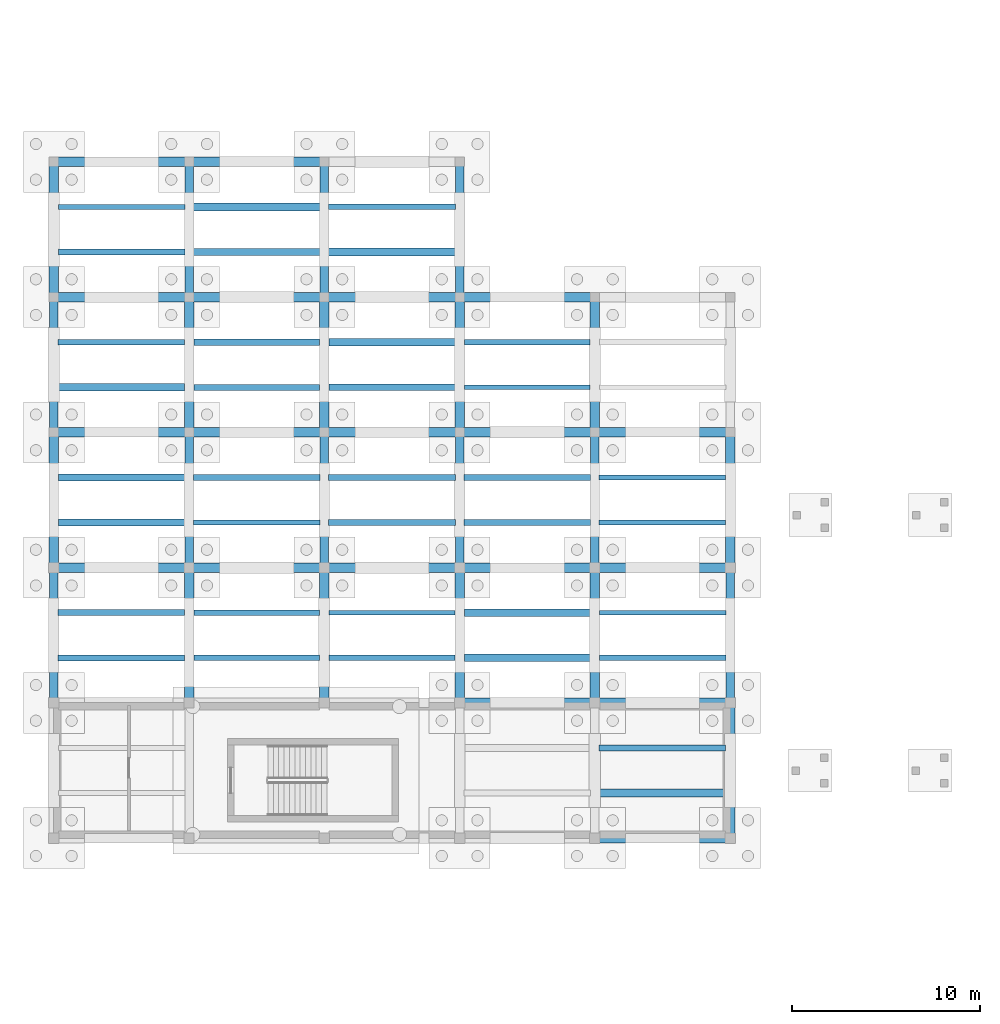
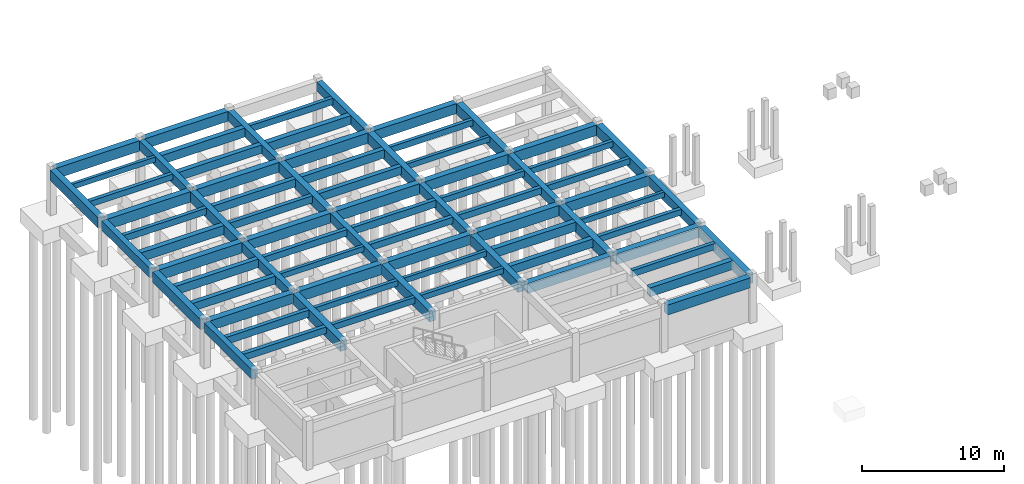
# One storey, part 13 of 31: 77 beams.
"""IFC4 building model written with IfcOpenShell, lengths in metres."""

from ifc_helpers import new_model, si_unit, direction, frame, origin, origin_2d, place, context, subcontext, project, spatial, rectangle, extrude, material, material_profile, profile_set, type_object, element, save


model = new_model("IFC4")

# Units and contexts
model_context = context("Model", 3, precision=1e-05, world=origin(), true_north=direction((0.0, 1.0)))
body_context = subcontext(model_context, "Body", "Model", "MODEL_VIEW")
ifc_project = project(units=[si_unit("LENGTHUNIT", "METRE"), si_unit("AREAUNIT", "SQUARE_METRE"), si_unit("VOLUMEUNIT", "CUBIC_METRE"), si_unit("PLANEANGLEUNIT", "RADIAN"), si_unit("MASSUNIT", "GRAM", prefix="KILO")], contexts=[model_context])

# Site, building, storey
site_placement = place(None, origin())
site = spatial("IfcSite", under=ifc_project, at=site_placement, CompositionType="ELEMENT")
building_placement = place(site_placement, origin())
building = spatial("IfcBuilding", under=site, at=building_placement, Name="Brisavento Harbour Community Centre", CompositionType="ELEMENT")
storey_placement = place(building_placement, frame((0.0, 0.0, -4.199951171875)))
storey = spatial("IfcBuildingStorey", under=building, at=storey_placement, Name="B1", CompositionType="ELEMENT", Elevation=-4.199951171875)

# Beams
ifc_material = material(Name="Concrete C35/45", Category="concrete")
ifc_material_profile_1 = material_profile(ifc_material, rectangle(XDim=0.25, YDim=0.449951171875, at=origin_2d()), Name="Concrete C35/45")
ifc_profile_set_1 = profile_set([ifc_material_profile_1], Name="Concrete C35/45")
beam_type_1 = type_object("IfcBeamType", Name="BM-JST-250x450", PredefinedType="JOIST", material=ifc_profile_set_1)
beam_1_placement = place(storey_placement, frame((0.25, 105.60009765625, 3.695068359375), z_axis=(1.0, 0.0, 0.0), x_axis=(0.0, 1.0, 0.0)))
element("IfcBeam", 1, at=beam_1_placement, inside=storey, type_object=beam_type_1, Name="B1 secondary floor joist 0013", PredefinedType="JOIST", context=body_context, shape_type="SweptSolid", body=[
    extrude(rectangle(XDim=0.25, YDim=0.449951171875, at=origin_2d()), origin(), (0.0, 0.0, 1.0), 6.72509765625),
])
beam_2_placement = place(storey_placement, frame((21.85009765625, 96.0, 3.695068359375), z_axis=(1.0, 0.0, 0.0), x_axis=(0.0, 1.0, 0.0)))
element("IfcBeam", 2, at=beam_2_placement, inside=storey, type_object=beam_type_1, Name="B1 secondary floor joist 0046", PredefinedType="JOIST", context=body_context, shape_type="SweptSolid", body=[
    extrude(rectangle(XDim=0.25, YDim=0.449951171875, at=origin_2d()), origin(), (0.0, 0.0, 1.0), 6.699951171875),
])
beam_3_placement = place(storey_placement, frame((29.050048828125, 84.0, 3.695068359375), z_axis=(1.0, 0.0, 0.0), x_axis=(0.0, 1.0, 0.0)))
element("IfcBeam", 3, at=beam_3_placement, inside=storey, type_object=beam_type_1, Name="B1 secondary floor joist 0057", PredefinedType="JOIST", context=body_context, shape_type="SweptSolid", body=[
    extrude(rectangle(XDim=0.25, YDim=0.449951171875, at=origin_2d()), origin(), (0.0, 0.0, 1.0), 6.724853515625),
])
ifc_material_profile_2 = material_profile(ifc_material, rectangle(XDim=0.260009765625, YDim=0.4599609375, at=origin_2d()), Name="Concrete C35/45")
ifc_profile_set_2 = profile_set([ifc_material_profile_2], Name="Concrete C35/45")
beam_type_2 = type_object("IfcBeamType", Name="BM-JST-260x460", PredefinedType="JOIST", material=ifc_profile_set_2)
beam_4_placement = place(storey_placement, frame((7.425048828125, 88.800048828125, 3.68994140625), z_axis=(1.0, 0.0, 0.0), x_axis=(0.0, 1.0, 0.0)))
element("IfcBeam", 4, at=beam_4_placement, inside=storey, type_object=beam_type_2, Name="B1 secondary floor joist 0016", PredefinedType="JOIST", context=body_context, shape_type="SweptSolid", body=[
    extrude(rectangle(XDim=0.260009765625, YDim=0.4599609375, at=origin_2d()), origin(), (0.0, 0.0, 1.0), 6.75),
])
beam_5_placement = place(storey_placement, frame((14.64990234375, 84.0, 3.68994140625), z_axis=(1.0, 0.0, 0.0), x_axis=(0.0, 1.0, 0.0)))
element("IfcBeam", 5, at=beam_5_placement, inside=storey, type_object=beam_type_2, Name="B1 secondary floor joist 0027", PredefinedType="JOIST", context=body_context, shape_type="SweptSolid", body=[
    extrude(rectangle(XDim=0.260009765625, YDim=0.4599609375, at=origin_2d()), origin(), (0.0, 0.0, 1.0), 6.7001953125),
])
ifc_material_profile_3 = material_profile(ifc_material, rectangle(XDim=0.280029296875, YDim=0.47998046875, at=origin_2d()), Name="Concrete C35/45")
ifc_profile_set_3 = profile_set([ifc_material_profile_3], Name="Concrete C35/45")
beam_type_3 = type_object("IfcBeamType", Name="BM-JST-280x480", PredefinedType="JOIST", material=ifc_profile_set_3)
beam_6_placement = place(storey_placement, frame((7.449951171875, 84.0, 3.679931640625), z_axis=(1.0, 0.0, 0.0), x_axis=(0.0, 1.0, 0.0)))
element("IfcBeam", 6, at=beam_6_placement, inside=storey, type_object=beam_type_3, Name="B1 secondary floor joist 0015", PredefinedType="JOIST", context=body_context, shape_type="SweptSolid", body=[
    extrude(rectangle(XDim=0.280029296875, YDim=0.47998046875, at=origin_2d()), origin(), (0.0, 0.0, 1.0), 6.699951171875),
])
beam_7_placement = place(storey_placement, frame((14.64990234375, 81.60009765625, 3.679931640625), z_axis=(1.0, 0.0, 0.0), x_axis=(0.0, 1.0, 0.0)))
element("IfcBeam", 7, at=beam_7_placement, inside=storey, type_object=beam_type_3, Name="B1 secondary floor joist 0026", PredefinedType="JOIST", context=body_context, shape_type="SweptSolid", body=[
    extrude(rectangle(XDim=0.280029296875, YDim=0.47998046875, at=origin_2d()), origin(), (0.0, 0.0, 1.0), 6.7001953125),
])
beam_8_placement = place(storey_placement, frame((29.02490234375, 91.199951171875, 3.679931640625), z_axis=(1.0, 0.0, 0.0), x_axis=(0.0, 1.0, 0.0)))
element("IfcBeam", 8, at=beam_8_placement, inside=storey, type_object=beam_type_3, Name="B1 secondary floor joist 0059", PredefinedType="JOIST", context=body_context, shape_type="SweptSolid", body=[
    extrude(rectangle(XDim=0.280029296875, YDim=0.47998046875, at=origin_2d()), origin(), (0.0, 0.0, 1.0), 6.72509765625),
])
ifc_material_profile_4 = material_profile(ifc_material, rectangle(XDim=0.280029296875, YDim=0.52001953125, at=origin_2d()), Name="Concrete C35/45")
ifc_profile_set_4 = profile_set([ifc_material_profile_4], Name="Concrete C35/45")
beam_type_4 = type_object("IfcBeamType", Name="BM-JST-280x520", PredefinedType="JOIST", material=ifc_profile_set_4)
for number, where, z_axis, x_axis, name in (
    (9, (7.449951171875, 81.60009765625, 3.659912109375), (1.0, 0.0, 0.0), (0.0, 1.0, 0.0), "B1 secondary floor joist 0014"),
    (10, (21.85009765625, 98.39990234375, 3.659912109375), (1.0, 0.0, 0.0), (0.0, 1.0, 0.0), "B1 secondary floor joist 0047"),
):
    element("IfcBeam", number, at=place(storey_placement, frame(where, z_axis=z_axis, x_axis=x_axis)), inside=storey, type_object=beam_type_4, Name=name, PredefinedType="JOIST", context=body_context, shape_type="SweptSolid", body=[
        extrude(rectangle(XDim=0.280029296875, YDim=0.52001953125, at=origin_2d()), origin(), (0.0, 0.0, 1.0), 6.699951171875),
    ])
beam_9_placement = place(storey_placement, frame((29.02490234375, 88.800048828125, 3.659912109375), z_axis=(1.0, 0.0, 0.0), x_axis=(0.0, 1.0, 0.0)))
element("IfcBeam", 11, at=beam_9_placement, inside=storey, type_object=beam_type_4, Name="B1 secondary floor joist 0058", PredefinedType="JOIST", context=body_context, shape_type="SweptSolid", body=[
    extrude(rectangle(XDim=0.280029296875, YDim=0.52001953125, at=origin_2d()), origin(), (0.0, 0.0, 1.0), 6.72509765625),
])
ifc_material_profile_5 = material_profile(ifc_material, rectangle(XDim=0.300048828125, YDim=0.5, at=origin_2d()), Name="Concrete C35/45")
ifc_profile_set_5 = profile_set([ifc_material_profile_5], Name="Concrete C35/45")
beam_type_5 = type_object("IfcBeamType", Name="BM-JST-300x500", PredefinedType="JOIST", material=ifc_profile_set_5)
beam_10_placement = place(storey_placement, frame((0.25, 103.199951171875, 3.669921875), z_axis=(1.0, 0.0, 0.0), x_axis=(0.0, 1.0, 0.0)))
element("IfcBeam", 12, at=beam_10_placement, inside=storey, type_object=beam_type_5, Name="B1 secondary floor joist 0012", PredefinedType="JOIST", context=body_context, shape_type="SweptSolid", body=[
    extrude(rectangle(XDim=0.300048828125, YDim=0.5, at=origin_2d()), origin(), (0.0, 0.0, 1.0), 6.72509765625),
])
beam_11_placement = place(storey_placement, frame((21.824951171875, 91.199951171875, 3.669921875), z_axis=(1.0, 0.0, 0.0), x_axis=(0.0, 1.0, 0.0)))
element("IfcBeam", 13, at=beam_11_placement, inside=storey, type_object=beam_type_5, Name="B1 secondary floor joist 0045", PredefinedType="JOIST", context=body_context, shape_type="SweptSolid", body=[
    extrude(rectangle(XDim=0.300048828125, YDim=0.5, at=origin_2d()), origin(), (0.0, 0.0, 1.0), 6.75),
])
beam_12_placement = place(storey_placement, frame((29.050048828125, 81.60009765625, 3.669921875), z_axis=(1.0, 0.0, 0.0), x_axis=(0.0, 1.0, 0.0)))
element("IfcBeam", 14, at=beam_12_placement, inside=storey, type_object=beam_type_5, Name="B1 secondary floor joist 0056", PredefinedType="JOIST", context=body_context, shape_type="SweptSolid", body=[
    extrude(rectangle(XDim=0.300048828125, YDim=0.5, at=origin_2d()), origin(), (0.0, 0.0, 1.0), 6.724853515625),
])
ifc_material_profile_6 = material_profile(ifc_material, rectangle(XDim=0.300048828125, YDim=0.550048828125, at=origin_2d()), Name="Concrete C35/45")
ifc_profile_set_6 = profile_set([ifc_material_profile_6], Name="Concrete C35/45")
beam_type_6 = type_object("IfcBeamType", Name="BM-JST-300x550", PredefinedType="JOIST", material=ifc_profile_set_6)
beam_13_placement = place(storey_placement, frame((0.22509765625, 98.39990234375, 3.64501953125), z_axis=(1.0, 0.0, 0.0), x_axis=(0.0, 1.0, 0.0)))
element("IfcBeam", 15, at=beam_13_placement, inside=storey, type_object=beam_type_6, Name="B1 secondary floor joist 0011", PredefinedType="JOIST", context=body_context, shape_type="SweptSolid", body=[
    extrude(rectangle(XDim=0.300048828125, YDim=0.550048828125, at=origin_2d()), origin(), (0.0, 0.0, 1.0), 6.724853515625),
])
for number, where, z_axis, x_axis, name in (
    (16, (14.625, 105.60009765625, 3.64501953125), (1.0, 0.0, 0.0), (0.0, 1.0, 0.0), "B1 secondary floor joist 0033"),
    (17, (21.824951171875, 88.800048828125, 3.64501953125), (1.0, 0.0, 0.0), (0.0, 1.0, 0.0), "B1 secondary floor joist 0044"),
):
    element("IfcBeam", number, at=place(storey_placement, frame(where, z_axis=z_axis, x_axis=x_axis)), inside=storey, type_object=beam_type_6, Name=name, PredefinedType="JOIST", context=body_context, shape_type="SweptSolid", body=[
        extrude(rectangle(XDim=0.300048828125, YDim=0.550048828125, at=origin_2d()), origin(), (0.0, 0.0, 1.0), 6.75),
    ])
beam_14_placement = place(storey_placement, frame((29.02490234375, 76.800048828125, 3.64501953125), z_axis=(1.0, 0.0, 0.0), x_axis=(0.0, 1.0, 0.0)))
element("IfcBeam", 18, at=beam_14_placement, inside=storey, type_object=beam_type_6, Name="B1 secondary floor joist 0055", PredefinedType="JOIST", context=body_context, shape_type="SweptSolid", body=[
    extrude(rectangle(XDim=0.300048828125, YDim=0.550048828125, at=origin_2d()), origin(), (0.0, 0.0, 1.0), 6.72509765625),
])
ifc_material_profile_7 = material_profile(ifc_material, rectangle(XDim=0.320068359375, YDim=0.56005859375, at=origin_2d()), Name="Concrete C35/45")
ifc_profile_set_7 = profile_set([ifc_material_profile_7], Name="Concrete C35/45")
beam_type_7 = type_object("IfcBeamType", Name="BM-JST-320x560", PredefinedType="JOIST", material=ifc_profile_set_7)
beam_15_placement = place(storey_placement, frame((0.22509765625, 81.60009765625, 3.639892578125), z_axis=(1.0, 0.0, 0.0), x_axis=(0.0, 1.0, 0.0)))
element("IfcBeam", 19, at=beam_15_placement, inside=storey, type_object=beam_type_7, Name="B1 secondary floor joist 0006", PredefinedType="JOIST", context=body_context, shape_type="SweptSolid", body=[
    extrude(rectangle(XDim=0.320068359375, YDim=0.56005859375, at=origin_2d()), origin(), (0.0, 0.0, 1.0), 6.724853515625),
])
for number, where, z_axis, x_axis, name in (
    (20, (7.425048828125, 91.199951171875, 3.639892578125), (1.0, 0.0, 0.0), (0.0, 1.0, 0.0), "B1 secondary floor joist 0017"),
    (21, (14.625, 88.800048828125, 3.639892578125), (1.0, 0.0, 0.0), (0.0, 1.0, 0.0), "B1 secondary floor joist 0028"),
):
    element("IfcBeam", number, at=place(storey_placement, frame(where, z_axis=z_axis, x_axis=x_axis)), inside=storey, type_object=beam_type_7, Name=name, PredefinedType="JOIST", context=body_context, shape_type="SweptSolid", body=[
        extrude(rectangle(XDim=0.320068359375, YDim=0.56005859375, at=origin_2d()), origin(), (0.0, 0.0, 1.0), 6.75),
    ])
ifc_material_profile_8 = material_profile(ifc_material, rectangle(XDim=0.320068359375, YDim=0.6201171875, at=origin_2d()), Name="Concrete C35/45")
ifc_profile_set_8 = profile_set([ifc_material_profile_8], Name="Concrete C35/45")
beam_type_8 = type_object("IfcBeamType", Name="BM-JST-320x620", PredefinedType="JOIST", material=ifc_profile_set_8)
beam_16_placement = place(storey_placement, frame((0.22509765625, 84.0, 3.60986328125), z_axis=(1.0, 0.0, 0.0), x_axis=(0.0, 1.0, 0.0)))
element("IfcBeam", 22, at=beam_16_placement, inside=storey, type_object=beam_type_8, Name="B1 secondary floor joist 0007", PredefinedType="JOIST", context=body_context, shape_type="SweptSolid", body=[
    extrude(rectangle(XDim=0.320068359375, YDim=0.6201171875, at=origin_2d()), origin(), (0.0, 0.0, 1.0), 6.724853515625),
])
beam_17_placement = place(storey_placement, frame((7.449951171875, 96.0, 3.60986328125), z_axis=(1.0, 0.0, 0.0), x_axis=(0.0, 1.0, 0.0)))
element("IfcBeam", 23, at=beam_17_placement, inside=storey, type_object=beam_type_8, Name="B1 secondary floor joist 0018", PredefinedType="JOIST", context=body_context, shape_type="SweptSolid", body=[
    extrude(rectangle(XDim=0.320068359375, YDim=0.6201171875, at=origin_2d()), origin(), (0.0, 0.0, 1.0), 6.699951171875),
])
beam_18_placement = place(storey_placement, frame((14.625, 91.199951171875, 3.60986328125), z_axis=(1.0, 0.0, 0.0), x_axis=(0.0, 1.0, 0.0)))
element("IfcBeam", 24, at=beam_18_placement, inside=storey, type_object=beam_type_8, Name="B1 secondary floor joist 0029", PredefinedType="JOIST", context=body_context, shape_type="SweptSolid", body=[
    extrude(rectangle(XDim=0.320068359375, YDim=0.6201171875, at=origin_2d()), origin(), (0.0, 0.0, 1.0), 6.75),
])
ifc_material_profile_9 = material_profile(ifc_material, rectangle(XDim=0.360107421875, YDim=0.679931640625, at=origin_2d()), Name="Concrete C35/45")
ifc_profile_set_9 = profile_set([ifc_material_profile_9], Name="Concrete C35/45")
beam_type_9 = type_object("IfcBeamType", Name="BM-JST-360x680", PredefinedType="JOIST", material=ifc_profile_set_9)
beam_19_placement = place(storey_placement, frame((0.25, 88.800048828125, 3.579833984375), z_axis=(1.0, 0.0, 0.0), x_axis=(0.0, 1.0, 0.0)))
element("IfcBeam", 25, at=beam_19_placement, inside=storey, type_object=beam_type_9, Name="B1 secondary floor joist 0008", PredefinedType="JOIST", context=body_context, shape_type="SweptSolid", body=[
    extrude(rectangle(XDim=0.360107421875, YDim=0.679931640625, at=origin_2d()), origin(), (0.0, 0.0, 1.0), 6.72509765625),
])
beam_20_placement = place(storey_placement, frame((7.449951171875, 98.39990234375, 3.579833984375), z_axis=(1.0, 0.0, 0.0), x_axis=(0.0, 1.0, 0.0)))
element("IfcBeam", 26, at=beam_20_placement, inside=storey, type_object=beam_type_9, Name="B1 secondary floor joist 0019", PredefinedType="JOIST", context=body_context, shape_type="SweptSolid", body=[
    extrude(rectangle(XDim=0.360107421875, YDim=0.679931640625, at=origin_2d()), origin(), (0.0, 0.0, 1.0), 6.699951171875),
])
beam_21_placement = place(storey_placement, frame((14.64990234375, 96.0, 3.579833984375), z_axis=(1.0, 0.0, 0.0), x_axis=(0.0, 1.0, 0.0)))
element("IfcBeam", 27, at=beam_21_placement, inside=storey, type_object=beam_type_9, Name="B1 secondary floor joist 0030", PredefinedType="JOIST", context=body_context, shape_type="SweptSolid", body=[
    extrude(rectangle(XDim=0.360107421875, YDim=0.679931640625, at=origin_2d()), origin(), (0.0, 0.0, 1.0), 6.7001953125),
])
ifc_material_profile_10 = material_profile(ifc_material, rectangle(XDim=0.3798828125, YDim=0.719970703125, at=origin_2d()), Name="Concrete C35/45")
ifc_profile_set_10 = profile_set([ifc_material_profile_10], Name="Concrete C35/45")
beam_type_10 = type_object("IfcBeamType", Name="BM-JST-380x720", PredefinedType="JOIST", material=ifc_profile_set_10)
beam_22_placement = place(storey_placement, frame((0.25, 91.199951171875, 3.56005859375), z_axis=(1.0, 0.0, 0.0), x_axis=(0.0, 1.0, 0.0)))
element("IfcBeam", 28, at=beam_22_placement, inside=storey, type_object=beam_type_10, Name="B1 secondary floor joist 0009", PredefinedType="JOIST", context=body_context, shape_type="SweptSolid", body=[
    extrude(rectangle(XDim=0.3798828125, YDim=0.719970703125, at=origin_2d()), origin(), (0.0, 0.0, 1.0), 6.72509765625),
])
beam_23_placement = place(storey_placement, frame((7.425048828125, 103.199951171875, 3.56005859375), z_axis=(1.0, 0.0, 0.0), x_axis=(0.0, 1.0, 0.0)))
element("IfcBeam", 29, at=beam_23_placement, inside=storey, type_object=beam_type_10, Name="B1 secondary floor joist 0020", PredefinedType="JOIST", context=body_context, shape_type="SweptSolid", body=[
    extrude(rectangle(XDim=0.3798828125, YDim=0.719970703125, at=origin_2d()), origin(), (0.0, 0.0, 1.0), 6.75),
])
beam_24_placement = place(storey_placement, frame((14.64990234375, 98.39990234375, 3.56005859375), z_axis=(1.0, 0.0, 0.0), x_axis=(0.0, 1.0, 0.0)))
element("IfcBeam", 30, at=beam_24_placement, inside=storey, type_object=beam_type_10, Name="B1 secondary floor joist 0031", PredefinedType="JOIST", context=body_context, shape_type="SweptSolid", body=[
    extrude(rectangle(XDim=0.3798828125, YDim=0.719970703125, at=origin_2d()), origin(), (0.0, 0.0, 1.0), 6.7001953125),
])
beam_25_placement = place(storey_placement, frame((21.85009765625, 81.60009765625, 3.56005859375), z_axis=(1.0, 0.0, 0.0), x_axis=(0.0, 1.0, 0.0)))
element("IfcBeam", 31, at=beam_25_placement, inside=storey, type_object=beam_type_10, Name="B1 secondary floor joist 0042", PredefinedType="JOIST", context=body_context, shape_type="SweptSolid", body=[
    extrude(rectangle(XDim=0.3798828125, YDim=0.719970703125, at=origin_2d()), origin(), (0.0, 0.0, 1.0), 6.699951171875),
])
ifc_material_profile_11 = material_profile(ifc_material, rectangle(XDim=0.419921875, YDim=0.760009765625, at=origin_2d()), Name="Concrete C35/45")
ifc_profile_set_11 = profile_set([ifc_material_profile_11], Name="Concrete C35/45")
beam_type_11 = type_object("IfcBeamType", Name="BM-JST-420x760", PredefinedType="JOIST", material=ifc_profile_set_11)
beam_26_placement = place(storey_placement, frame((0.22509765625, 96.0, 3.5400390625), z_axis=(1.0, 0.0, 0.0), x_axis=(0.0, 1.0, 0.0)))
element("IfcBeam", 32, at=beam_26_placement, inside=storey, type_object=beam_type_11, Name="B1 secondary floor joist 0010", PredefinedType="JOIST", context=body_context, shape_type="SweptSolid", body=[
    extrude(rectangle(XDim=0.419921875, YDim=0.760009765625, at=origin_2d()), origin(), (0.0, 0.0, 1.0), 6.724853515625),
])
for number, where, z_axis, x_axis, name in (
    (33, (7.425048828125, 105.60009765625, 3.5400390625), (1.0, 0.0, 0.0), (0.0, 1.0, 0.0), "B1 secondary floor joist 0021"),
    (34, (14.625, 103.199951171875, 3.5400390625), (1.0, 0.0, 0.0), (0.0, 1.0, 0.0), "B1 secondary floor joist 0032"),
):
    element("IfcBeam", number, at=place(storey_placement, frame(where, z_axis=z_axis, x_axis=x_axis)), inside=storey, type_object=beam_type_11, Name=name, PredefinedType="JOIST", context=body_context, shape_type="SweptSolid", body=[
        extrude(rectangle(XDim=0.419921875, YDim=0.760009765625, at=origin_2d()), origin(), (0.0, 0.0, 1.0), 6.75),
    ])
beam_27_placement = place(storey_placement, frame((21.85009765625, 84.0, 3.5400390625), z_axis=(1.0, 0.0, 0.0), x_axis=(0.0, 1.0, 0.0)))
element("IfcBeam", 35, at=beam_27_placement, inside=storey, type_object=beam_type_11, Name="B1 secondary floor joist 0043", PredefinedType="JOIST", context=body_context, shape_type="SweptSolid", body=[
    extrude(rectangle(XDim=0.419921875, YDim=0.760009765625, at=origin_2d()), origin(), (0.0, 0.0, 1.0), 6.699951171875),
])
beam_28_placement = place(storey_placement, frame((29.02490234375, 74.39990234375, 3.5400390625), z_axis=(1.0, 0.0, 0.0), x_axis=(0.0, 1.0, 0.0)))
element("IfcBeam", 36, at=beam_28_placement, inside=storey, type_object=beam_type_11, Name="B1 secondary floor joist 0054", PredefinedType="JOIST", context=body_context, shape_type="SweptSolid", body=[
    extrude(rectangle(XDim=0.419921875, YDim=0.760009765625, at=origin_2d()), origin(), (0.0, 0.0, 1.0), 6.72509765625),
])
ifc_material_profile_12 = material_profile(ifc_material, rectangle(XDim=0.449951171875, YDim=0.800048828125, at=origin_2d()), Name="Concrete C35/45")
ifc_profile_set_12 = profile_set([ifc_material_profile_12], Name="Concrete C35/45")
beam_type_12 = type_object("IfcBeamType", Name="BM-RC-450x800", PredefinedType="BEAM", material=ifc_profile_set_12)
beam_29_placement = place(storey_placement, frame((0.0, 79.445068359375, 3.52001953125), z_axis=(0.0, 1.0, 0.0), x_axis=(-1.0, 0.0, 0.0)))
element("IfcBeam", 37, at=beam_29_placement, inside=storey, type_object=beam_type_12, Name="B1 primary girder Y0125", PredefinedType="BEAM", context=body_context, shape_type="SweptSolid", body=[
    extrude(rectangle(XDim=0.449951171875, YDim=0.800048828125, at=origin_2d()), origin(), (0.0, 0.0, 1.0), 6.7099609375),
])
beam_30_placement = place(storey_placement, frame((0.0, 93.820068359375, 3.52001953125), z_axis=(0.0, 1.0, 0.0), x_axis=(-1.0, 0.0, 0.0)))
element("IfcBeam", 38, at=beam_30_placement, inside=storey, type_object=beam_type_12, Name="B1 primary girder Y0127", PredefinedType="BEAM", context=body_context, shape_type="SweptSolid", body=[
    extrude(rectangle(XDim=0.449951171875, YDim=0.800048828125, at=origin_2d()), origin(), (0.0, 0.0, 1.0), 6.760009765625),
])
beam_31_placement = place(storey_placement, frame((7.199951171875, 86.64501953125, 3.52001953125), z_axis=(0.0, 1.0, 0.0), x_axis=(-1.0, 0.0, 0.0)))
element("IfcBeam", 39, at=beam_31_placement, inside=storey, type_object=beam_type_12, Name="B1 primary girder Y0131", PredefinedType="BEAM", context=body_context, shape_type="SweptSolid", body=[
    extrude(rectangle(XDim=0.449951171875, YDim=0.800048828125, at=origin_2d()), origin(), (0.0, 0.0, 1.0), 6.73486328125),
])
beam_32_placement = place(storey_placement, frame((7.199951171875, 101.02001953125, 3.52001953125), z_axis=(0.0, 1.0, 0.0), x_axis=(-1.0, 0.0, 0.0)))
element("IfcBeam", 40, at=beam_32_placement, inside=storey, type_object=beam_type_12, Name="B1 primary girder Y0133", PredefinedType="BEAM", context=body_context, shape_type="SweptSolid", body=[
    extrude(rectangle(XDim=0.449951171875, YDim=0.800048828125, at=origin_2d()), origin(), (0.0, 0.0, 1.0), 6.760009765625),
])
beam_33_placement = place(storey_placement, frame((14.39990234375, 86.64501953125, 3.52001953125), z_axis=(0.0, 1.0, 0.0), x_axis=(-1.0, 0.0, 0.0)))
element("IfcBeam", 41, at=beam_33_placement, inside=storey, type_object=beam_type_12, Name="B1 primary girder Y0137", PredefinedType="BEAM", context=body_context, shape_type="SweptSolid", body=[
    extrude(rectangle(XDim=0.449951171875, YDim=0.800048828125, at=origin_2d()), origin(), (0.0, 0.0, 1.0), 6.73486328125),
])
beam_34_placement = place(storey_placement, frame((14.39990234375, 101.02001953125, 3.52001953125), z_axis=(0.0, 1.0, 0.0), x_axis=(-1.0, 0.0, 0.0)))
element("IfcBeam", 42, at=beam_34_placement, inside=storey, type_object=beam_type_12, Name="B1 primary girder Y0139", PredefinedType="BEAM", context=body_context, shape_type="SweptSolid", body=[
    extrude(rectangle(XDim=0.449951171875, YDim=0.800048828125, at=origin_2d()), origin(), (0.0, 0.0, 1.0), 6.760009765625),
])
beam_35_placement = place(storey_placement, frame((21.60009765625, 86.64501953125, 3.52001953125), z_axis=(0.0, 1.0, 0.0), x_axis=(-1.0, 0.0, 0.0)))
element("IfcBeam", 43, at=beam_35_placement, inside=storey, type_object=beam_type_12, Name="B1 primary girder Y0145", PredefinedType="BEAM", context=body_context, shape_type="SweptSolid", body=[
    extrude(rectangle(XDim=0.449951171875, YDim=0.800048828125, at=origin_2d()), origin(), (0.0, 0.0, 1.0), 6.73486328125),
])
beam_36_placement = place(storey_placement, frame((21.60009765625, 101.02001953125, 3.52001953125), z_axis=(0.0, 1.0, 0.0), x_axis=(-1.0, 0.0, 0.0)))
element("IfcBeam", 44, at=beam_36_placement, inside=storey, type_object=beam_type_12, Name="B1 primary girder Y0147", PredefinedType="BEAM", context=body_context, shape_type="SweptSolid", body=[
    extrude(rectangle(XDim=0.449951171875, YDim=0.800048828125, at=origin_2d()), origin(), (0.0, 0.0, 1.0), 6.760009765625),
])
beam_37_placement = place(storey_placement, frame((28.800048828125, 86.64501953125, 3.52001953125), z_axis=(0.0, 1.0, 0.0), x_axis=(-1.0, 0.0, 0.0)))
element("IfcBeam", 45, at=beam_37_placement, inside=storey, type_object=beam_type_12, Name="B1 primary girder Y0153", PredefinedType="BEAM", context=body_context, shape_type="SweptSolid", body=[
    extrude(rectangle(XDim=0.449951171875, YDim=0.800048828125, at=origin_2d()), origin(), (0.0, 0.0, 1.0), 6.73486328125),
])
beam_38_placement = place(storey_placement, frame((36.0, 79.445068359375, 3.52001953125), z_axis=(0.0, 1.0, 0.0), x_axis=(-1.0, 0.0, 0.0)))
element("IfcBeam", 46, at=beam_38_placement, inside=storey, type_object=beam_type_12, Name="B1 primary girder Y0159", PredefinedType="BEAM", context=body_context, shape_type="SweptSolid", body=[
    extrude(rectangle(XDim=0.449951171875, YDim=0.800048828125, at=origin_2d()), origin(), (0.0, 0.0, 1.0), 6.7099609375),
])
ifc_material_profile_13 = material_profile(ifc_material, rectangle(XDim=0.5, YDim=0.85009765625, at=origin_2d()), Name="Concrete C35/45")
ifc_profile_set_13 = profile_set([ifc_material_profile_13], Name="Concrete C35/45")
beam_type_13 = type_object("IfcBeamType", Name="BM-RC-500x850", PredefinedType="BEAM", material=ifc_profile_set_13)
for number, where, z_axis, x_axis, name in (
    (47, (29.044921875, 72.0, 3.494873046875), (1.0, 0.0, 0.0), (0.0, 1.0, 0.0), "B1 primary girder X0071"),
    (48, (21.844970703125, 79.199951171875, 3.494873046875), (1.0, 0.0, 0.0), (0.0, 1.0, 0.0), "B1 primary girder X0075"),
    (49, (0.2451171875, 86.39990234375, 3.494873046875), (1.0, 0.0, 0.0), (0.0, 1.0, 0.0), "B1 primary girder X0085"),
    (50, (14.64501953125, 86.39990234375, 3.494873046875), (1.0, 0.0, 0.0), (0.0, 1.0, 0.0), "B1 primary girder X0087"),
    (51, (29.044921875, 86.39990234375, 3.494873046875), (1.0, 0.0, 0.0), (0.0, 1.0, 0.0), "B1 primary girder X0089"),
):
    element("IfcBeam", number, at=place(storey_placement, frame(where, z_axis=z_axis, x_axis=x_axis)), inside=storey, type_object=beam_type_13, Name=name, PredefinedType="BEAM", context=body_context, shape_type="SweptSolid", body=[
        extrude(rectangle(XDim=0.5, YDim=0.85009765625, at=origin_2d()), origin(), (0.0, 0.0, 1.0), 6.7099609375),
    ])
for number, where, z_axis, x_axis, name in (
    (52, (7.419921875, 93.60009765625, 3.494873046875), (1.0, 0.0, 0.0), (0.0, 1.0, 0.0), "B1 primary girder X0097"),
    (53, (21.820068359375, 93.60009765625, 3.494873046875), (1.0, 0.0, 0.0), (0.0, 1.0, 0.0), "B1 primary girder X0099"),
    (54, (7.419921875, 100.800048828125, 3.494873046875), (1.0, 0.0, 0.0), (0.0, 1.0, 0.0), "B1 primary girder X0103"),
    (55, (21.820068359375, 100.800048828125, 3.494873046875), (1.0, 0.0, 0.0), (0.0, 1.0, 0.0), "B1 primary girder X0105"),
    (56, (7.419921875, 108.0, 3.494873046875), (1.0, 0.0, 0.0), (0.0, 1.0, 0.0), "B1 primary girder X0109"),
):
    element("IfcBeam", number, at=place(storey_placement, frame(where, z_axis=z_axis, x_axis=x_axis)), inside=storey, type_object=beam_type_13, Name=name, PredefinedType="BEAM", context=body_context, shape_type="SweptSolid", body=[
        extrude(rectangle(XDim=0.5, YDim=0.85009765625, at=origin_2d()), origin(), (0.0, 0.0, 1.0), 6.760009765625),
    ])
ifc_material_profile_14 = material_profile(ifc_material, rectangle(XDim=0.5, YDim=0.89990234375, at=origin_2d()), Name="Concrete C35/45")
ifc_profile_set_14 = profile_set([ifc_material_profile_14], Name="Concrete C35/45")
beam_type_14 = type_object("IfcBeamType", Name="BM-RC-500x900", PredefinedType="BEAM", material=ifc_profile_set_14)
for number, where, z_axis, x_axis, name in (
    (57, (29.044921875, 79.199951171875, 3.469970703125), (1.0, 0.0, 0.0), (0.0, 1.0, 0.0), "B1 primary girder X0076"),
    (58, (7.445068359375, 86.39990234375, 3.469970703125), (1.0, 0.0, 0.0), (0.0, 1.0, 0.0), "B1 primary girder X0086"),
    (59, (21.844970703125, 86.39990234375, 3.469970703125), (1.0, 0.0, 0.0), (0.0, 1.0, 0.0), "B1 primary girder X0088"),
):
    element("IfcBeam", number, at=place(storey_placement, frame(where, z_axis=z_axis, x_axis=x_axis)), inside=storey, type_object=beam_type_14, Name=name, PredefinedType="BEAM", context=body_context, shape_type="SweptSolid", body=[
        extrude(rectangle(XDim=0.5, YDim=0.89990234375, at=origin_2d()), origin(), (0.0, 0.0, 1.0), 6.7099609375),
    ])
beam_39_placement = place(storey_placement, frame((0.219970703125, 93.60009765625, 3.469970703125), z_axis=(1.0, 0.0, 0.0), x_axis=(0.0, 1.0, 0.0)))
element("IfcBeam", 60, at=beam_39_placement, inside=storey, type_object=beam_type_14, Name="B1 primary girder X0096", PredefinedType="BEAM", context=body_context, shape_type="SweptSolid", body=[
    extrude(rectangle(XDim=0.5, YDim=0.89990234375, at=origin_2d()), origin(), (0.0, 0.0, 1.0), 6.760009765625),
])
beam_40_placement = place(storey_placement, frame((14.6201171875, 93.60009765625, 3.469970703125), z_axis=(1.0, 0.0, 0.0), x_axis=(0.0, 1.0, 0.0)))
element("IfcBeam", 61, at=beam_40_placement, inside=storey, type_object=beam_type_14, Name="B1 primary girder X0098", PredefinedType="BEAM", context=body_context, shape_type="SweptSolid", body=[
    extrude(rectangle(XDim=0.5, YDim=0.89990234375, at=origin_2d()), origin(), (0.0, 0.0, 1.0), 6.759765625),
])
for number, where, z_axis, x_axis, name in (
    (62, (29.02001953125, 93.60009765625, 3.469970703125), (1.0, 0.0, 0.0), (0.0, 1.0, 0.0), "B1 primary girder X0100"),
    (63, (0.219970703125, 100.800048828125, 3.469970703125), (1.0, 0.0, 0.0), (0.0, 1.0, 0.0), "B1 primary girder X0102"),
):
    element("IfcBeam", number, at=place(storey_placement, frame(where, z_axis=z_axis, x_axis=x_axis)), inside=storey, type_object=beam_type_14, Name=name, PredefinedType="BEAM", context=body_context, shape_type="SweptSolid", body=[
        extrude(rectangle(XDim=0.5, YDim=0.89990234375, at=origin_2d()), origin(), (0.0, 0.0, 1.0), 6.760009765625),
    ])
beam_41_placement = place(storey_placement, frame((14.6201171875, 100.800048828125, 3.469970703125), z_axis=(1.0, 0.0, 0.0), x_axis=(0.0, 1.0, 0.0)))
element("IfcBeam", 64, at=beam_41_placement, inside=storey, type_object=beam_type_14, Name="B1 primary girder X0104", PredefinedType="BEAM", context=body_context, shape_type="SweptSolid", body=[
    extrude(rectangle(XDim=0.5, YDim=0.89990234375, at=origin_2d()), origin(), (0.0, 0.0, 1.0), 6.759765625),
])
beam_42_placement = place(storey_placement, frame((0.219970703125, 108.0, 3.469970703125), z_axis=(1.0, 0.0, 0.0), x_axis=(0.0, 1.0, 0.0)))
element("IfcBeam", 65, at=beam_42_placement, inside=storey, type_object=beam_type_14, Name="B1 primary girder X0108", PredefinedType="BEAM", context=body_context, shape_type="SweptSolid", body=[
    extrude(rectangle(XDim=0.5, YDim=0.89990234375, at=origin_2d()), origin(), (0.0, 0.0, 1.0), 6.760009765625),
])
beam_43_placement = place(storey_placement, frame((0.0, 86.64501953125, 3.469970703125), z_axis=(0.0, 1.0, 0.0), x_axis=(-1.0, 0.0, 0.0)))
element("IfcBeam", 66, at=beam_43_placement, inside=storey, type_object=beam_type_14, Name="B1 primary girder Y0126", PredefinedType="BEAM", context=body_context, shape_type="SweptSolid", body=[
    extrude(rectangle(XDim=0.5, YDim=0.89990234375, at=origin_2d()), origin(), (0.0, 0.0, 1.0), 6.73486328125),
])
beam_44_placement = place(storey_placement, frame((0.0, 101.02001953125, 3.469970703125), z_axis=(0.0, 1.0, 0.0), x_axis=(-1.0, 0.0, 0.0)))
element("IfcBeam", 67, at=beam_44_placement, inside=storey, type_object=beam_type_14, Name="B1 primary girder Y0128", PredefinedType="BEAM", context=body_context, shape_type="SweptSolid", body=[
    extrude(rectangle(XDim=0.5, YDim=0.89990234375, at=origin_2d()), origin(), (0.0, 0.0, 1.0), 6.760009765625),
])
beam_45_placement = place(storey_placement, frame((7.199951171875, 79.445068359375, 3.469970703125), z_axis=(0.0, 1.0, 0.0), x_axis=(-1.0, 0.0, 0.0)))
element("IfcBeam", 68, at=beam_45_placement, inside=storey, type_object=beam_type_14, Name="B1 primary girder Y0130", PredefinedType="BEAM", context=body_context, shape_type="SweptSolid", body=[
    extrude(rectangle(XDim=0.5, YDim=0.89990234375, at=origin_2d()), origin(), (0.0, 0.0, 1.0), 6.7099609375),
])
beam_46_placement = place(storey_placement, frame((7.199951171875, 93.820068359375, 3.469970703125), z_axis=(0.0, 1.0, 0.0), x_axis=(-1.0, 0.0, 0.0)))
element("IfcBeam", 69, at=beam_46_placement, inside=storey, type_object=beam_type_14, Name="B1 primary girder Y0132", PredefinedType="BEAM", context=body_context, shape_type="SweptSolid", body=[
    extrude(rectangle(XDim=0.5, YDim=0.89990234375, at=origin_2d()), origin(), (0.0, 0.0, 1.0), 6.760009765625),
])
beam_47_placement = place(storey_placement, frame((14.39990234375, 79.445068359375, 3.469970703125), z_axis=(0.0, 1.0, 0.0), x_axis=(-1.0, 0.0, 0.0)))
element("IfcBeam", 70, at=beam_47_placement, inside=storey, type_object=beam_type_14, Name="B1 primary girder Y0136", PredefinedType="BEAM", context=body_context, shape_type="SweptSolid", body=[
    extrude(rectangle(XDim=0.5, YDim=0.89990234375, at=origin_2d()), origin(), (0.0, 0.0, 1.0), 6.7099609375),
])
beam_48_placement = place(storey_placement, frame((14.39990234375, 93.820068359375, 3.469970703125), z_axis=(0.0, 1.0, 0.0), x_axis=(-1.0, 0.0, 0.0)))
element("IfcBeam", 71, at=beam_48_placement, inside=storey, type_object=beam_type_14, Name="B1 primary girder Y0138", PredefinedType="BEAM", context=body_context, shape_type="SweptSolid", body=[
    extrude(rectangle(XDim=0.5, YDim=0.89990234375, at=origin_2d()), origin(), (0.0, 0.0, 1.0), 6.760009765625),
])
beam_49_placement = place(storey_placement, frame((21.60009765625, 79.445068359375, 3.469970703125), z_axis=(0.0, 1.0, 0.0), x_axis=(-1.0, 0.0, 0.0)))
element("IfcBeam", 72, at=beam_49_placement, inside=storey, type_object=beam_type_14, Name="B1 primary girder Y0144", PredefinedType="BEAM", context=body_context, shape_type="SweptSolid", body=[
    extrude(rectangle(XDim=0.5, YDim=0.89990234375, at=origin_2d()), origin(), (0.0, 0.0, 1.0), 6.7099609375),
])
beam_50_placement = place(storey_placement, frame((21.60009765625, 93.820068359375, 3.469970703125), z_axis=(0.0, 1.0, 0.0), x_axis=(-1.0, 0.0, 0.0)))
element("IfcBeam", 73, at=beam_50_placement, inside=storey, type_object=beam_type_14, Name="B1 primary girder Y0146", PredefinedType="BEAM", context=body_context, shape_type="SweptSolid", body=[
    extrude(rectangle(XDim=0.5, YDim=0.89990234375, at=origin_2d()), origin(), (0.0, 0.0, 1.0), 6.760009765625),
])
beam_51_placement = place(storey_placement, frame((28.800048828125, 79.445068359375, 3.469970703125), z_axis=(0.0, 1.0, 0.0), x_axis=(-1.0, 0.0, 0.0)))
element("IfcBeam", 74, at=beam_51_placement, inside=storey, type_object=beam_type_14, Name="B1 primary girder Y0152", PredefinedType="BEAM", context=body_context, shape_type="SweptSolid", body=[
    extrude(rectangle(XDim=0.5, YDim=0.89990234375, at=origin_2d()), origin(), (0.0, 0.0, 1.0), 6.7099609375),
])
beam_52_placement = place(storey_placement, frame((28.800048828125, 93.820068359375, 3.469970703125), z_axis=(0.0, 1.0, 0.0), x_axis=(-1.0, 0.0, 0.0)))
element("IfcBeam", 75, at=beam_52_placement, inside=storey, type_object=beam_type_14, Name="B1 primary girder Y0154", PredefinedType="BEAM", context=body_context, shape_type="SweptSolid", body=[
    extrude(rectangle(XDim=0.5, YDim=0.89990234375, at=origin_2d()), origin(), (0.0, 0.0, 1.0), 6.760009765625),
])
beam_53_placement = place(storey_placement, frame((36.0, 72.2451171875, 3.469970703125), z_axis=(0.0, 1.0, 0.0), x_axis=(-1.0, 0.0, 0.0)))
element("IfcBeam", 76, at=beam_53_placement, inside=storey, type_object=beam_type_14, Name="B1 primary girder Y0158", PredefinedType="BEAM", context=body_context, shape_type="SweptSolid", body=[
    extrude(rectangle(XDim=0.5, YDim=0.89990234375, at=origin_2d()), origin(), (0.0, 0.0, 1.0), 6.7099609375),
])
beam_54_placement = place(storey_placement, frame((36.0, 86.64501953125, 3.469970703125), z_axis=(0.0, 1.0, 0.0), x_axis=(-1.0, 0.0, 0.0)))
element("IfcBeam", 77, at=beam_54_placement, inside=storey, type_object=beam_type_14, Name="B1 primary girder Y0160", PredefinedType="BEAM", context=body_context, shape_type="SweptSolid", body=[
    extrude(rectangle(XDim=0.5, YDim=0.89990234375, at=origin_2d()), origin(), (0.0, 0.0, 1.0), 6.73486328125),
])

save(model, "model.ifc")
